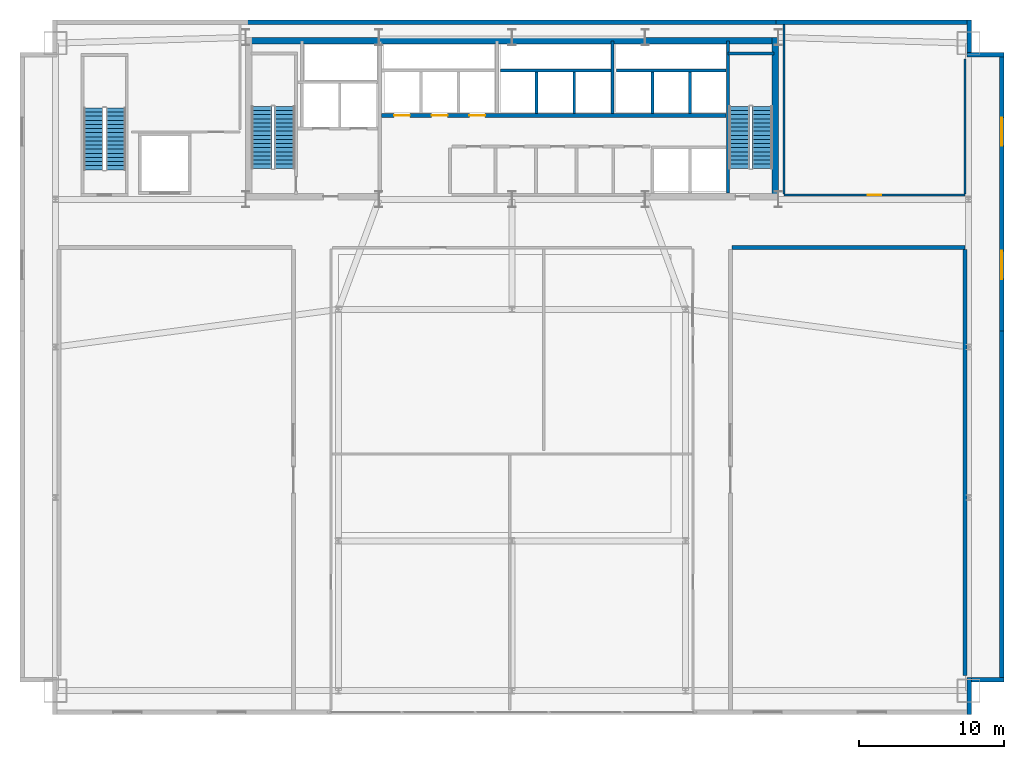
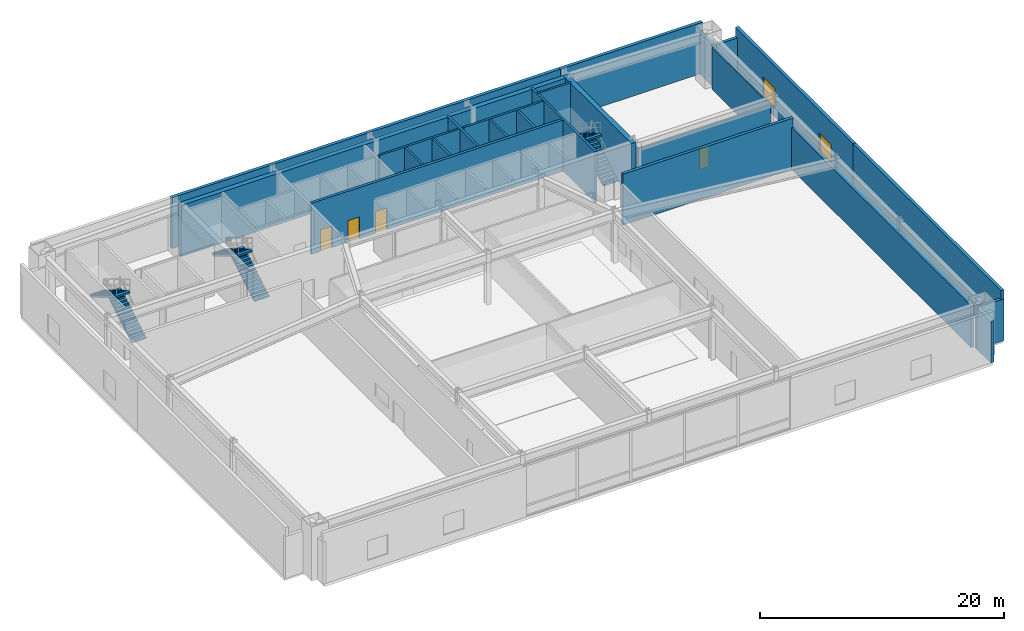
# One storey, part 10 of 12: 25 walls, 6 stair flights, 4 doors, 2 windows, 6 openings, 3 elements without a shape of their own.
"""IFC4 building model written with IfcOpenShell, lengths in metres."""

from ifc_helpers import new_model, si_unit, direction, frame, frame_2d, origin, place, context, subcontext, project, spatial, polyline, rectangle, outline, extrude, source, transform, mapped, material, layer, layer_set, type_object, type_shapes, element, fill, aggregate, save


model = new_model("IFC4")

# Units and contexts
model_context = context("Model", 3, precision=1e-05, world=origin(), true_north=direction((0.0, 1.0)))
body_context = subcontext(model_context, "Body", "Model", "MODEL_VIEW")
ifc_project = project(units=[si_unit("LENGTHUNIT", "METRE"), si_unit("AREAUNIT", "SQUARE_METRE"), si_unit("VOLUMEUNIT", "CUBIC_METRE"), si_unit("PLANEANGLEUNIT", "RADIAN"), si_unit("MASSUNIT", "GRAM", prefix="KILO")], contexts=[model_context])

# Site, building, storey
site_placement = place(None, origin())
site = spatial("IfcSite", under=ifc_project, at=site_placement, CompositionType="ELEMENT")
building_placement = place(site_placement, origin())
building = spatial("IfcBuilding", under=site, at=building_placement, Name="Varnel Quay Broadcast Tower", CompositionType="ELEMENT")
storey_placement = place(building_placement, frame((0.0, 0.0, 11.39990234375)))
storey = spatial("IfcBuildingStorey", under=building, at=storey_placement, Name="L02", CompositionType="ELEMENT", Elevation=11.39990234375)

# Walls
ifc_material_1 = material(Name="Concrete CSA A23.3 C50/60", Category="concrete")
ifc_layer_1 = layer(ifc_material_1, 0.199951171875, Name="Concrete CSA A23.3 C50/60")
ifc_layer_set_1 = layer_set([ifc_layer_1], Name="Concrete CSA A23.3 C50/60")
wall_type_1 = type_object("IfcWallType", Name="Wall_CoreShaftShear200", PredefinedType="SHEAR", material=ifc_layer_set_1)
wall_1_placement = place(storey_placement, frame((48.919921875, 36.050048828125, 0.0), z_axis=(0.0, 0.0, 1.0), x_axis=(0.0, 1.0, 0.0)))
element("IfcWall", 1, at=wall_1_placement, inside=storey, type_object=wall_type_1, Name="L02 Stair 2 West Structural Wall", PredefinedType="SHEAR", context=body_context, shape_type="SweptSolid", body=[
    extrude(rectangle(XDim=10.5, YDim=0.199951171875, at=frame_2d((5.25, 0.0))), origin(), (0.0, 0.0, 1.0), 5.1201171875),
])
wall_2_placement = place(storey_placement, frame((48.919921875, 45.679931640625, 0.0), z_axis=(0.0, 0.0, 1.0), x_axis=(1.0, 0.0, 0.0)))
element("IfcWall", 2, at=wall_2_placement, inside=storey, type_object=wall_type_1, Name="L02 Stair 2 North Structural Wall", PredefinedType="SHEAR", context=body_context, shape_type="SweptSolid", body=[
    extrude(rectangle(XDim=3.18017578125, YDim=0.199951171875, at=frame_2d((1.590087890625, 0.0))), origin(), (0.0, 0.0, 1.0), 5.1201171875),
])
wall_3_placement = place(storey_placement, frame((33.219970703125, 44.5, 0.0), z_axis=(0.0, 0.0, 1.0), x_axis=(1.0, 0.0, 0.0)))
element("IfcWall", 3, at=wall_3_placement, inside=storey, type_object=wall_type_1, Name="L02 Mid-Rise Lift Shaft Rear Wall", PredefinedType="SHEAR", context=body_context, shape_type="SweptSolid", body=[
    extrude(rectangle(XDim=7.630126953125, YDim=0.199951171875, at=frame_2d((3.81494140625, 0.0))), origin(), (0.0, 0.0, 1.0), 5.1201171875),
])
for number, where, z_axis, x_axis, name in (
    (4, (35.699951171875, 41.530029296875, 0.0), (0.0, 0.0, 1.0), (0.0, 1.0, 0.0), "L02 Mid-Rise Lift Shaft Divider 2"),
    (5, (38.300048828125, 41.530029296875, 0.0), (0.0, 0.0, 1.0), (0.0, 1.0, 0.0), "L02 Mid-Rise Lift Shaft Divider 3"),
):
    element("IfcWall", number, at=place(storey_placement, frame(where, z_axis=z_axis, x_axis=x_axis)), inside=storey, type_object=wall_type_1, Name=name, PredefinedType="SHEAR", context=body_context, shape_type="SweptSolid", body=[
        extrude(rectangle(XDim=2.869873046875, YDim=0.199951171875, at=frame_2d((1.43505859375, 0.0))), origin(), (0.0, 0.0, 1.0), 5.1201171875),
    ])
wall_4_placement = place(storey_placement, frame((40.949951171875, 41.530029296875, 0.0), z_axis=(0.0, 0.0, 1.0), x_axis=(0.0, 1.0, 0.0)))
element("IfcWall", 6, at=wall_4_placement, inside=storey, type_object=wall_type_1, Name="L02 Mid-Rise Lift Shaft Divider 4", PredefinedType="SHEAR", context=body_context, shape_type="SweptSolid", body=[
    extrude(rectangle(XDim=5.02001953125, YDim=0.199951171875, at=frame_2d((2.510009765625, 0.0))), origin(), (0.0, 0.0, 1.0), 5.1201171875),
])
wall_5_placement = place(storey_placement, frame((41.219970703125, 44.5, 0.0), z_axis=(0.0, 0.0, 1.0), x_axis=(1.0, 0.0, 0.0)))
element("IfcWall", 7, at=wall_5_placement, inside=storey, type_object=wall_type_1, Name="L02 High-Rise Lift Shaft Rear Wall", PredefinedType="SHEAR", context=body_context, shape_type="SweptSolid", body=[
    extrude(rectangle(XDim=7.580078125, YDim=0.199951171875, at=frame_2d((3.7900390625, 0.0))), origin(), (0.0, 0.0, 1.0), 5.1201171875),
])
for number, where, z_axis, x_axis, name in (
    (8, (43.699951171875, 41.530029296875, 0.0), (0.0, 0.0, 1.0), (0.0, 1.0, 0.0), "L02 High-Rise Lift Shaft Divider 2"),
    (9, (46.300048828125, 41.530029296875, 0.0), (0.0, 0.0, 1.0), (0.0, 1.0, 0.0), "L02 High-Rise Lift Shaft Divider 3"),
):
    element("IfcWall", number, at=place(storey_placement, frame(where, z_axis=z_axis, x_axis=x_axis)), inside=storey, type_object=wall_type_1, Name=name, PredefinedType="SHEAR", context=body_context, shape_type="SweptSolid", body=[
        extrude(rectangle(XDim=2.869873046875, YDim=0.199951171875, at=frame_2d((1.43505859375, 0.0))), origin(), (0.0, 0.0, 1.0), 5.1201171875),
    ])

# Wall, openings, doors
ifc_layer_2 = layer(ifc_material_1, 0.25, Name="Concrete CSA A23.3 C50/60")
ifc_layer_set_2 = layer_set([ifc_layer_2], Name="Concrete CSA A23.3 C50/60")
wall_type_2 = type_object("IfcWallType", Name="Wall_CoreShaftShear250", PredefinedType="SHEAR", material=ifc_layer_set_2)
wall_6_placement = place(storey_placement, frame((24.97998046875, 41.39990234375, 0.0), z_axis=(0.0, 0.0, 1.0), x_axis=(1.0, 0.0, 0.0)))
wall_6 = element("IfcWall", 10, at=wall_6_placement, inside=storey, type_object=wall_type_2, Name="L02 North Lift Bank & Reclaimed Suite Wall", PredefinedType="SHEAR", context=body_context, shape_type="SweptSolid", body=[
    extrude(rectangle(XDim=23.820068359375, YDim=0.25, at=frame_2d((11.91015625, 0.0))), origin(), (0.0, 0.0, 1.0), 5.1201171875),
])
opening_1_placement = place(wall_6_placement, frame((0.8701171875, 0.0, 0.0)))
opening_1 = element("IfcOpeningElement", 11, at=opening_1_placement, cuts=wall_6, Name="Opening LD-L02-PL-01", PredefinedType="OPENING", context=body_context, shape_type="SweptSolid", body=[
    extrude(rectangle(XDim=1.10009765625, YDim=2.179931640625, at=frame_2d((0.550048828125, 1.08984375))), frame((0.0, 0.135009765625, 0.0), z_axis=(0.0, -1.0, 0.0), x_axis=(1.0, 0.0, 0.0)), (0.0, 0.0, 1.0), 0.27001953125),
])
opening_2_placement = place(wall_6_placement, frame((3.469970703125, 0.0, 0.0)))
opening_2 = element("IfcOpeningElement", 12, at=opening_2_placement, cuts=wall_6, Name="Opening LD-L02-PL-02", PredefinedType="OPENING", context=body_context, shape_type="SweptSolid", body=[
    extrude(rectangle(XDim=1.10009765625, YDim=2.179931640625, at=frame_2d((0.550048828125, 1.08984375))), frame((0.0, 0.135009765625, 0.0), z_axis=(0.0, -1.0, 0.0), x_axis=(1.0, 0.0, 0.0)), (0.0, 0.0, 1.0), 0.27001953125),
])
opening_3_placement = place(wall_6_placement, frame((6.070068359375, 0.0, 0.0)))
opening_3 = element("IfcOpeningElement", 13, at=opening_3_placement, cuts=wall_6, Name="Opening LD-L02-PL-03", PredefinedType="OPENING", context=body_context, shape_type="SweptSolid", body=[
    extrude(rectangle(XDim=1.10009765625, YDim=2.179931640625, at=frame_2d((0.550048828125, 1.08984375))), frame((0.0, 0.135009765625, 0.0), z_axis=(0.0, -1.0, 0.0), x_axis=(1.0, 0.0, 0.0)), (0.0, 0.0, 1.0), 0.27001953125),
])
ifc_material_2 = material(Name="Brushed Bronze-Stainless Lift Car & Sliding Doors", Category="steel")
door_type_1 = type_object("IfcDoorType", Name="Door_LiftLanding1100", OperationType="SLIDING_TO_LEFT", PredefinedType="DOOR", material=ifc_material_2)
shared_shape_1 = source(origin(), body_context, "Body", "SweptSolid", [
    extrude(rectangle(XDim=1.10009765625, YDim=2.179931640625, at=frame_2d((0.550048828125, 1.08984375))), frame((0.0, 0.02490234375, 0.0), z_axis=(0.0, -1.0, 0.0), x_axis=(1.0, 0.0, 0.0)), (0.0, 0.0, 1.0), 0.050048828125),
])
type_shapes(door_type_1, [shared_shape_1])
door_1_placement = place(opening_1_placement, frame((1.10009765625, 0.0, 0.0), z_axis=(0.0, 0.0, 1.0), x_axis=(-1.0, 0.0, 0.0)))
door_1 = element("IfcDoor", 14, at=door_1_placement, inside=storey, type_object=door_type_1, Name="L02 Lift PL-01 Landing Door", OperationType="SLIDING_TO_LEFT", OverallHeight=2.179931640625, OverallWidth=1.10009765625, PredefinedType="DOOR", context=body_context, shape_type="MappedRepresentation", body=[
    mapped(shared_shape_1, transform((0.0, 0.0, 0.0), x_axis=(1.0, 0.0, 0.0), y_axis=(0.0, 1.0, 0.0), z_axis=(0.0, 0.0, 1.0), scale=1.0)),
])
fill(opening_1, door_1)
door_2_placement = place(opening_2_placement, frame((1.10009765625, 0.0, 0.0), z_axis=(0.0, 0.0, 1.0), x_axis=(-1.0, 0.0, 0.0)))
door_2 = element("IfcDoor", 15, at=door_2_placement, inside=storey, type_object=door_type_1, Name="L02 Lift PL-02 Landing Door", OperationType="SLIDING_TO_LEFT", OverallHeight=2.179931640625, OverallWidth=1.10009765625, PredefinedType="DOOR", context=body_context, shape_type="MappedRepresentation", body=[
    mapped(shared_shape_1, transform((0.0, 0.0, 0.0), x_axis=(1.0, 0.0, 0.0), y_axis=(0.0, 1.0, 0.0), z_axis=(0.0, 0.0, 1.0), scale=1.0)),
])
fill(opening_2, door_2)
door_3_placement = place(opening_3_placement, frame((1.10009765625, 0.0, 0.0), z_axis=(0.0, 0.0, 1.0), x_axis=(-1.0, 0.0, 0.0)))
door_3 = element("IfcDoor", 16, at=door_3_placement, inside=storey, type_object=door_type_1, Name="L02 Lift PL-03 Landing Door", OperationType="SLIDING_TO_LEFT", OverallHeight=2.179931640625, OverallWidth=1.10009765625, PredefinedType="DOOR", context=body_context, shape_type="MappedRepresentation", body=[
    mapped(shared_shape_1, transform((0.0, 0.0, 0.0), x_axis=(1.0, 0.0, 0.0), y_axis=(0.0, 1.0, 0.0), z_axis=(0.0, 0.0, 1.0), scale=1.0)),
])
fill(opening_3, door_3)

# Walls
ifc_material_3 = material(Name="Concrete CSA A23.3 C60/75", Category="concrete")
ifc_layer_3 = layer(ifc_material_3, 0.449951171875, Name="Concrete CSA A23.3 C60/75")
ifc_layer_set_3 = layer_set([ifc_layer_3], Name="Concrete CSA A23.3 C60/75")
wall_type_3 = type_object("IfcWallType", Name="Wall_CoreShearInt450", PredefinedType="SHEAR", material=ifc_layer_set_3)
wall_7_placement = place(storey_placement, frame((15.60009765625, 46.574951171875, 0.0), z_axis=(0.0, 0.0, 1.0), x_axis=(1.0, 0.0, 0.0)))
element("IfcWall", 17, at=wall_7_placement, inside=storey, type_object=wall_type_3, Name="L02 North Core Shear Wall", PredefinedType="SHEAR", context=body_context, shape_type="SweptSolid", body=[
    extrude(rectangle(XDim=36.7998046875, YDim=0.449951171875, at=frame_2d((18.39990234375, 0.0))), origin(), (0.0, 0.0, 1.0), 5.1201171875),
])
wall_8_placement = place(storey_placement, frame((52.205078125, 35.570068359375, 0.0), z_axis=(0.0, 0.0, 1.0), x_axis=(0.0, 1.0, 0.0)))
element("IfcWall", 18, at=wall_8_placement, inside=storey, type_object=wall_type_3, Name="L02 East Core Shear Wall", PredefinedType="SHEAR", context=body_context, shape_type="SweptSolid", body=[
    extrude(rectangle(XDim=11.22998046875, YDim=0.449951171875, at=frame_2d((5.614990234375, 0.0))), origin(), (0.0, 0.0, 1.0), 5.1201171875),
])
ifc_material_4 = material(Name="Precast Architectural Concrete C40/50", Category="concrete")
ifc_layer_4 = layer(ifc_material_4, 0.300048828125, Name="Precast Architectural Concrete C40/50")
ifc_layer_set_4 = layer_set([ifc_layer_4], Name="Precast Architectural Concrete C40/50")
wall_type_4 = type_object("IfcWallType", Name="Wall_ExtPodium300", PredefinedType="SOLIDWALL", material=ifc_layer_set_4)
wall_9_placement = place(storey_placement, frame((52.25, 47.85009765625, 0.0), z_axis=(0.0, 0.0, 1.0), x_axis=(1.0, 0.0, 0.0)))
element("IfcWall", 19, at=wall_9_placement, inside=storey, type_object=wall_type_4, Name="L02 North Podium Exterior Wall NE", PredefinedType="SOLIDWALL", context=body_context, shape_type="SweptSolid", body=[
    extrude(rectangle(XDim=13.5, YDim=0.300048828125, at=frame_2d((6.75, 0.0))), origin(), (0.0, 0.0, 1.0), 5.10009765625),
])
wall_10_placement = place(storey_placement, frame((15.5, 47.85009765625, 0.0), z_axis=(0.0, 0.0, 1.0), x_axis=(1.0, 0.0, 0.0)))
element("IfcWall", 20, at=wall_10_placement, inside=storey, type_object=wall_type_4, Name="L02 North Core Podium Cladding Wall", PredefinedType="SOLIDWALL", context=body_context, shape_type="SweptSolid", body=[
    extrude(rectangle(XDim=37.0, YDim=0.300048828125, at=frame_2d((18.5, 0.0))), origin(), (0.0, 0.0, 1.0), 5.10009765625),
])
wall_11_placement = place(storey_placement, frame((67.85009765625, 2.25, 0.0), z_axis=(0.0, 0.0, 1.0), x_axis=(0.0, 1.0, 0.0)))
element("IfcWall", 21, at=wall_11_placement, inside=storey, type_object=wall_type_4, Name="L02 Podium Acoustic Exterior Wall E1", PredefinedType="SOLIDWALL", context=body_context, shape_type="SweptSolid", body=[
    extrude(rectangle(XDim=24.35009765625, YDim=0.300048828125, at=frame_2d((12.175048828125, 0.0))), origin(), (0.0, 0.0, 1.0), 5.10009765625),
])

# Wall, openings, windows
wall_12_placement = place(storey_placement, frame((67.85009765625, 26.5, 0.0), z_axis=(0.0, 0.0, 1.0), x_axis=(0.0, 1.0, 0.0)))
wall_12 = element("IfcWall", 22, at=wall_12_placement, inside=storey, type_object=wall_type_4, Name="L02 Podium Acoustic Exterior Wall E2", PredefinedType="SOLIDWALL", context=body_context, shape_type="SweptSolid", body=[
    extrude(rectangle(XDim=19.25, YDim=0.300048828125, at=frame_2d((9.625, 0.0))), origin(), (0.0, 0.0, 1.0), 5.10009765625),
])
opening_4_placement = place(wall_12_placement, frame((3.60009765625, 0.0, 0.89990234375)))
opening_4 = element("IfcOpeningElement", 23, at=opening_4_placement, cuts=wall_12, Name="Opening W-04", PredefinedType="OPENING", context=body_context, shape_type="SweptSolid", body=[
    extrude(rectangle(XDim=1.949951171875, YDim=1.949951171875, at=frame_2d((0.97509765625, 0.97509765625))), frame((0.0, 0.16015625, 0.0), z_axis=(0.0, -1.0, 0.0), x_axis=(1.0, 0.0, 0.0)), (0.0, 0.0, 1.0), 0.320068359375),
])
opening_5_placement = place(wall_12_placement, frame((12.800048828125, 0.0, 0.89990234375)))
opening_5 = element("IfcOpeningElement", 24, at=opening_5_placement, cuts=wall_12, Name="Opening W-04", PredefinedType="OPENING", context=body_context, shape_type="SweptSolid", body=[
    extrude(rectangle(XDim=1.949951171875, YDim=1.949951171875, at=frame_2d((0.97509765625, 0.97509765625))), frame((0.0, 0.16015625, 0.0), z_axis=(0.0, -1.0, 0.0), x_axis=(1.0, 0.0, 0.0)), (0.0, 0.0, 1.0), 0.320068359375),
])
ifc_material_5 = material(Name="Triple-Glazed Bronze Low-E Architectural Glass", Category="glass")
window_type = type_object("IfcWindowType", Name="Win_PodiumControl1950", PartitioningType="SINGLE_PANEL", PredefinedType="WINDOW", material=ifc_material_5)
shared_shape_2 = source(origin(), body_context, "Body", "SweptSolid", [
    extrude(rectangle(XDim=1.949951171875, YDim=1.949951171875, at=frame_2d((0.97509765625, 0.97509765625))), frame((0.0, 0.030029296875, 0.0), z_axis=(0.0, -1.0, 0.0), x_axis=(1.0, 0.0, 0.0)), (0.0, 0.0, 1.0), 0.06005859375),
])
type_shapes(window_type, [shared_shape_2])
window_1_placement = place(opening_4_placement, origin())
window_1 = element("IfcWindow", 25, at=window_1_placement, inside=storey, type_object=window_type, Name="L02 Podium Window E2-1", OverallHeight=1.949951171875, OverallWidth=1.949951171875, PartitioningType="SINGLE_PANEL", PredefinedType="WINDOW", context=body_context, shape_type="MappedRepresentation", body=[
    mapped(shared_shape_2, transform((0.0, 0.0, 0.0), x_axis=(1.0, 0.0, 0.0), y_axis=(0.0, 1.0, 0.0), z_axis=(0.0, 0.0, 1.0), scale=1.0)),
])
fill(opening_4, window_1)
window_2_placement = place(opening_5_placement, origin())
window_2 = element("IfcWindow", 26, at=window_2_placement, inside=storey, type_object=window_type, Name="L02 Podium Window E2-2", OverallHeight=1.949951171875, OverallWidth=1.949951171875, PartitioningType="SINGLE_PANEL", PredefinedType="WINDOW", context=body_context, shape_type="MappedRepresentation", body=[
    mapped(shared_shape_2, transform((0.0, 0.0, 0.0), x_axis=(1.0, 0.0, 0.0), y_axis=(0.0, 1.0, 0.0), z_axis=(0.0, 0.0, 1.0), scale=1.0)),
])
fill(opening_5, window_2)

# Walls
for number, where, z_axis, x_axis, name in (
    (27, (65.60009765625, 0.0, 0.0), (0.0, 0.0, 1.0), (0.0, 1.0, 0.0), "L02 Podium Acoustic Exterior Wall NSE1"),
    (28, (65.449951171875, 2.39990234375, 0.0), (0.0, 0.0, 1.0), (1.0, 0.0, 0.0), "L02 Podium Acoustic Exterior Wall NSE2"),
    (29, (65.449951171875, 45.60009765625, 0.0), (0.0, 0.0, 1.0), (1.0, 0.0, 0.0), "L02 Podium Acoustic Exterior Wall NNE1"),
    (30, (65.60009765625, 45.449951171875, 0.0), (0.0, 0.0, 1.0), (0.0, 1.0, 0.0), "L02 Podium Acoustic Exterior Wall NNE2"),
):
    element("IfcWall", number, at=place(storey_placement, frame(where, z_axis=z_axis, x_axis=x_axis)), inside=storey, type_object=wall_type_4, Name=name, PredefinedType="SOLIDWALL", context=body_context, shape_type="SweptSolid", body=[
        extrude(rectangle(XDim=2.550048828125, YDim=0.300048828125, at=frame_2d((1.27490234375, 0.0))), origin(), (0.0, 0.0, 1.0), 4.18310546875),
    ])

# Wall, opening, door
ifc_material_6 = material(Name="Steel-Stud Fire-Rated Acoustic Gypsum Partition Assembly", Category="steel")
ifc_layer_5 = layer(ifc_material_6, 0.14990234375, Name="Steel-Stud Fire-Rated Acoustic Gypsum Partition Assembly")
ifc_layer_set_5 = layer_set([ifc_layer_5], Name="Steel-Stud Fire-Rated Acoustic Gypsum Partition Assembly")
wall_type_5 = type_object("IfcWallType", Name="Wall_Partition150", PredefinedType="PARTITIONING", material=ifc_layer_set_5)
wall_13_placement = place(storey_placement, frame((52.800048828125, 35.89990234375, 0.0), z_axis=(0.0, 0.0, 1.0), x_axis=(1.0, 0.0, 0.0)))
wall_13 = element("IfcWall", 31, at=wall_13_placement, inside=storey, type_object=wall_type_5, Name="L02 North-East Post-Production Office Partition 22", PredefinedType="PARTITIONING", context=body_context, shape_type="SweptSolid", body=[
    extrude(rectangle(XDim=12.5, YDim=0.14990234375, at=frame_2d((6.25, 0.0))), origin(), (0.0, 0.0, 1.0), 4.18310546875),
])
opening_6_placement = place(wall_13_placement, frame((5.7900390625, 0.0, 0.0)))
opening_6 = element("IfcOpeningElement", 32, at=opening_6_placement, cuts=wall_13, Name="Opening D-L02-13", PredefinedType="OPENING", context=body_context, shape_type="SweptSolid", body=[
    extrude(rectangle(XDim=0.919921875, YDim=2.080078125, at=frame_2d((0.4599609375, 1.0400390625))), frame((0.0, 0.0849609375, 0.0), z_axis=(0.0, -1.0, 0.0), x_axis=(1.0, 0.0, 0.0)), (0.0, 0.0, 1.0), 0.169921875),
])
ifc_material_7 = material(Name="Solid-Core Fire-Rated Acoustic Oak Veneer Door", Category="wood")
door_type_2 = type_object("IfcDoorType", Name="Door_Office920", OperationType="NOTDEFINED", PredefinedType="DOOR", material=ifc_material_7)
shared_shape_3 = source(origin(), body_context, "Body", "SweptSolid", [
    extrude(rectangle(XDim=0.919921875, YDim=2.080078125, at=frame_2d((0.4599609375, 1.0400390625))), frame((0.0, 0.02490234375, 0.0), z_axis=(0.0, -1.0, 0.0), x_axis=(1.0, 0.0, 0.0)), (0.0, 0.0, 1.0), 0.050048828125),
])
type_shapes(door_type_2, [shared_shape_3])
door_4_placement = place(opening_6_placement, origin())
door_4 = element("IfcDoor", 33, at=door_4_placement, inside=storey, type_object=door_type_2, Name="L02 North-East Post-Production Office Door D-L02-13", OperationType="SINGLE_SWING_LEFT", OverallHeight=2.080078125, OverallWidth=0.919921875, PredefinedType="DOOR", context=body_context, shape_type="MappedRepresentation", body=[
    mapped(shared_shape_3, transform((0.0, 0.0, 0.0), x_axis=(1.0, 0.0, 0.0), y_axis=(0.0, 1.0, 0.0), z_axis=(0.0, 0.0, 1.0), scale=1.0)),
])
fill(opening_6, door_4)

# Walls
wall_14_placement = place(storey_placement, frame((65.300048828125, 35.97509765625, 0.0), z_axis=(0.0, 0.0, 1.0), x_axis=(0.0, 1.0, 0.0)))
element("IfcWall", 34, at=wall_14_placement, inside=storey, type_object=wall_type_5, Name="L02 North-East Post-Production Office Partition 23", PredefinedType="PARTITIONING", context=body_context, shape_type="SweptSolid", body=[
    extrude(rectangle(XDim=9.324951171875, YDim=0.14990234375, at=frame_2d((4.66259765625, 0.0))), origin(), (0.0, 0.0, 1.0), 4.18310546875),
])
wall_15_placement = place(storey_placement, frame((52.800048828125, 35.97509765625, 0.0), z_axis=(0.0, 0.0, 1.0), x_axis=(0.0, 1.0, 0.0)))
element("IfcWall", 35, at=wall_15_placement, inside=storey, type_object=wall_type_5, Name="L02 North-East Post-Production Office Partition 24", PredefinedType="PARTITIONING", context=body_context, shape_type="SweptSolid", body=[
    extrude(rectangle(XDim=11.71484375, YDim=0.14990234375, at=frame_2d((5.857421875, 0.0))), origin(), (0.0, 0.0, 1.0), 4.18310546875),
])
ifc_material_8 = material(Name="Double-Leaf Isolated Acoustic Studio Wall Concrete C40/50", Category="concrete")
ifc_layer_6 = layer(ifc_material_8, 0.280029296875, Name="Double-Leaf Isolated Acoustic Studio Wall Concrete C40/50")
ifc_layer_set_6 = layer_set([ifc_layer_6], Name="Double-Leaf Isolated Acoustic Studio Wall Concrete C40/50")
wall_type_6 = type_object("IfcWallType", Name="Wall_StudioAcoustic280", PredefinedType="SOLIDWALL", material=ifc_layer_set_6)
wall_16_placement = place(storey_placement, frame((65.300048828125, 2.699951171875, 0.0), z_axis=(0.0, 0.0, 1.0), x_axis=(0.0, 1.0, 0.0)))
element("IfcWall", 36, at=wall_16_placement, inside=storey, type_object=wall_type_6, Name="L02 East Drama Production Studio Partition 11", PredefinedType="SOLIDWALL", context=body_context, shape_type="SweptSolid", body=[
    extrude(rectangle(XDim=29.43505859375, YDim=0.280029296875, at=frame_2d((14.717529296875, 0.0))), origin(), (0.0, 0.0, 1.0), 4.18310546875),
])
wall_17_placement = place(storey_placement, frame((49.199951171875, 32.27490234375, 0.0), z_axis=(0.0, 0.0, 1.0), x_axis=(1.0, 0.0, 0.0)))
element("IfcWall", 37, at=wall_17_placement, inside=storey, type_object=wall_type_6, Name="L02 East Drama Production Studio Partition 12", PredefinedType="SOLIDWALL", context=body_context, shape_type="SweptSolid", body=[
    extrude(rectangle(XDim=16.10009765625, YDim=0.280029296875, at=frame_2d((8.050048828125, 0.0))), origin(), (0.0, 0.0, 1.0), 5.10009765625),
])

# Stair, stair flights
ifc_material_9 = material(Name="Precast Structural Concrete C40/50", Category="concrete")
stair_type_1 = type_object("IfcStairType", Name="Stair_ST-01", PredefinedType="HALF_TURN_STAIR", material=ifc_material_9)
stair_1_placement = place(storey_placement, origin())
stair_1 = element("IfcStair", 38, at=stair_1_placement, inside=storey, type_object=stair_type_1, Name="L02 West Core Exit Stair 1", PredefinedType="HALF_TURN_STAIR")
stair_flight_type_1 = type_object("IfcStairFlightType", Name="Flight_ST-01", PredefinedType="STRAIGHT", material=ifc_material_9)
stair_flight_1_placement = place(storey_placement, frame((18.300048828125, 37.75, 0.0), z_axis=(0.0, 0.0, 1.0), x_axis=(0.0, 1.0, 0.0)))
stair_flight_1 = element("IfcStairFlight", 39, at=stair_flight_1_placement, type_object=stair_flight_type_1, Name="ST-01 flight 1", NumberOfRisers=16, NumberOfTreads=15, PredefinedType="STRAIGHT", RiserHeight=0.16875, TreadLength=0.285, context=body_context, shape_type="SweptSolid", body=[
    extrude(outline(polyline([(0.0, 0.0), (0.0, 0.168701171875), (0.284912109375, 0.168701171875), (0.284912109375, 0.33740234375), (0.570068359375, 0.33740234375), (0.570068359375, 0.50634765625), (0.85498046875, 0.50634765625), (0.85498046875, 0.675048828125), (1.139892578125, 0.675048828125), (1.139892578125, 0.84375), (1.425048828125, 0.84375), (1.425048828125, 1.012451171875), (1.7099609375, 1.012451171875), (1.7099609375, 1.18115234375), (1.9951171875, 1.18115234375), (1.9951171875, 1.35009765625), (2.280029296875, 1.35009765625), (2.280029296875, 1.518798828125), (2.56494140625, 1.518798828125), (2.56494140625, 1.6875), (2.85009765625, 1.6875), (2.85009765625, 1.856201171875), (3.135009765625, 1.856201171875), (3.135009765625, 2.02490234375), (3.419921875, 2.02490234375), (3.419921875, 2.19384765625), (3.705078125, 2.19384765625), (3.705078125, 2.362548828125), (3.989990234375, 2.362548828125), (3.989990234375, 2.53125), (4.27490234375, 2.53125), (4.27490234375, 2.699951171875), (4.27490234375, 2.35693359375), (0.294189453125, 0.0), (0.0, 0.0)])), frame((0.0, 0.699951171875, 0.0), z_axis=(0.0, -1.0, 0.0), x_axis=(1.0, 0.0, 0.0)), (0.0, 0.0, 1.0), 1.39990234375),
])
stair_flight_2_placement = place(storey_placement, frame((16.699951171875, 42.02490234375, 2.7001953125), z_axis=(0.0, 0.0, 1.0), x_axis=(0.0, -1.0, 0.0)))
stair_flight_2 = element("IfcStairFlight", 40, at=stair_flight_2_placement, type_object=stair_flight_type_1, Name="ST-01 flight 2", NumberOfRisers=16, NumberOfTreads=15, PredefinedType="STRAIGHT", RiserHeight=0.16875, TreadLength=0.285, context=body_context, shape_type="SweptSolid", body=[
    extrude(outline(polyline([(0.0, 0.0), (0.0, 0.168701171875), (0.284912109375, 0.168701171875), (0.284912109375, 0.33740234375), (0.570068359375, 0.33740234375), (0.570068359375, 0.50634765625), (0.85498046875, 0.50634765625), (0.85498046875, 0.675048828125), (1.139892578125, 0.675048828125), (1.139892578125, 0.84375), (1.425048828125, 0.84375), (1.425048828125, 1.012451171875), (1.7099609375, 1.012451171875), (1.7099609375, 1.18115234375), (1.9951171875, 1.18115234375), (1.9951171875, 1.35009765625), (2.280029296875, 1.35009765625), (2.280029296875, 1.518798828125), (2.56494140625, 1.518798828125), (2.56494140625, 1.6875), (2.85009765625, 1.6875), (2.85009765625, 1.856201171875), (3.135009765625, 1.856201171875), (3.135009765625, 2.02490234375), (3.419921875, 2.02490234375), (3.419921875, 2.19384765625), (3.705078125, 2.19384765625), (3.705078125, 2.362548828125), (3.989990234375, 2.362548828125), (3.989990234375, 2.53125), (4.27490234375, 2.53125), (4.27490234375, 2.699951171875), (4.27490234375, 2.35693359375), (0.294189453125, 0.0), (0.0, 0.0)])), frame((0.0, 0.699951171875, 0.0), z_axis=(0.0, -1.0, 0.0), x_axis=(1.0, 0.0, 0.0)), (0.0, 0.0, 1.0), 1.39990234375),
])
aggregate(stair_1, [stair_flight_1, stair_flight_2])

stair_type_2 = type_object("IfcStairType", Name="Stair_ST-02", PredefinedType="HALF_TURN_STAIR", material=ifc_material_9)
stair_2_placement = place(storey_placement, origin())
stair_2 = element("IfcStair", 41, at=stair_2_placement, inside=storey, type_object=stair_type_2, Name="L02 East Core Exit Stair 2", PredefinedType="HALF_TURN_STAIR")
stair_flight_type_2 = type_object("IfcStairFlightType", Name="Flight_ST-02", PredefinedType="STRAIGHT", material=ifc_material_9)
stair_flight_3_placement = place(storey_placement, frame((51.300048828125, 37.75, 0.0), z_axis=(0.0, 0.0, 1.0), x_axis=(0.0, 1.0, 0.0)))
stair_flight_3 = element("IfcStairFlight", 42, at=stair_flight_3_placement, type_object=stair_flight_type_2, Name="ST-02 flight 1", NumberOfRisers=16, NumberOfTreads=15, PredefinedType="STRAIGHT", RiserHeight=0.16875, TreadLength=0.285, context=body_context, shape_type="SweptSolid", body=[
    extrude(outline(polyline([(0.0, 0.0), (0.0, 0.168701171875), (0.284912109375, 0.168701171875), (0.284912109375, 0.33740234375), (0.570068359375, 0.33740234375), (0.570068359375, 0.50634765625), (0.85498046875, 0.50634765625), (0.85498046875, 0.675048828125), (1.139892578125, 0.675048828125), (1.139892578125, 0.84375), (1.425048828125, 0.84375), (1.425048828125, 1.012451171875), (1.7099609375, 1.012451171875), (1.7099609375, 1.18115234375), (1.9951171875, 1.18115234375), (1.9951171875, 1.35009765625), (2.280029296875, 1.35009765625), (2.280029296875, 1.518798828125), (2.56494140625, 1.518798828125), (2.56494140625, 1.6875), (2.85009765625, 1.6875), (2.85009765625, 1.856201171875), (3.135009765625, 1.856201171875), (3.135009765625, 2.02490234375), (3.419921875, 2.02490234375), (3.419921875, 2.19384765625), (3.705078125, 2.19384765625), (3.705078125, 2.362548828125), (3.989990234375, 2.362548828125), (3.989990234375, 2.53125), (4.27490234375, 2.53125), (4.27490234375, 2.699951171875), (4.27490234375, 2.35693359375), (0.294189453125, 0.0), (0.0, 0.0)])), frame((0.0, 0.699951171875, 0.0), z_axis=(0.0, -1.0, 0.0), x_axis=(1.0, 0.0, 0.0)), (0.0, 0.0, 1.0), 1.39990234375),
])
stair_flight_4_placement = place(storey_placement, frame((49.699951171875, 42.02490234375, 2.7001953125), z_axis=(0.0, 0.0, 1.0), x_axis=(0.0, -1.0, 0.0)))
stair_flight_4 = element("IfcStairFlight", 43, at=stair_flight_4_placement, type_object=stair_flight_type_2, Name="ST-02 flight 2", NumberOfRisers=16, NumberOfTreads=15, PredefinedType="STRAIGHT", RiserHeight=0.16875, TreadLength=0.285, context=body_context, shape_type="SweptSolid", body=[
    extrude(outline(polyline([(0.0, 0.0), (0.0, 0.168701171875), (0.284912109375, 0.168701171875), (0.284912109375, 0.33740234375), (0.570068359375, 0.33740234375), (0.570068359375, 0.50634765625), (0.85498046875, 0.50634765625), (0.85498046875, 0.675048828125), (1.139892578125, 0.675048828125), (1.139892578125, 0.84375), (1.425048828125, 0.84375), (1.425048828125, 1.012451171875), (1.7099609375, 1.012451171875), (1.7099609375, 1.18115234375), (1.9951171875, 1.18115234375), (1.9951171875, 1.35009765625), (2.280029296875, 1.35009765625), (2.280029296875, 1.518798828125), (2.56494140625, 1.518798828125), (2.56494140625, 1.6875), (2.85009765625, 1.6875), (2.85009765625, 1.856201171875), (3.135009765625, 1.856201171875), (3.135009765625, 2.02490234375), (3.419921875, 2.02490234375), (3.419921875, 2.19384765625), (3.705078125, 2.19384765625), (3.705078125, 2.362548828125), (3.989990234375, 2.362548828125), (3.989990234375, 2.53125), (4.27490234375, 2.53125), (4.27490234375, 2.699951171875), (4.27490234375, 2.35693359375), (0.294189453125, 0.0), (0.0, 0.0)])), frame((0.0, 0.699951171875, 0.0), z_axis=(0.0, -1.0, 0.0), x_axis=(1.0, 0.0, 0.0)), (0.0, 0.0, 1.0), 1.39990234375),
])
aggregate(stair_2, [stair_flight_3, stair_flight_4])

stair_type_3 = type_object("IfcStairType", Name="Stair_ST-03", PredefinedType="HALF_TURN_STAIR", material=ifc_material_9)
stair_3_placement = place(storey_placement, origin())
stair_3 = element("IfcStair", 44, at=stair_3_placement, inside=storey, type_object=stair_type_3, Name="L02 Podium Studio Exit Stair 3", PredefinedType="HALF_TURN_STAIR")
stair_flight_type_3 = type_object("IfcStairFlightType", Name="Flight_ST-03", PredefinedType="STRAIGHT", material=ifc_material_9)
stair_flight_5_placement = place(storey_placement, frame((6.625, 37.64990234375, 0.0), z_axis=(0.0, 0.0, 1.0), x_axis=(0.0, 1.0, 0.0)))
stair_flight_5 = element("IfcStairFlight", 45, at=stair_flight_5_placement, type_object=stair_flight_type_3, Name="ST-03 flight 1", NumberOfRisers=16, NumberOfTreads=15, PredefinedType="STRAIGHT", RiserHeight=0.16875, TreadLength=0.285, context=body_context, shape_type="SweptSolid", body=[
    extrude(outline(polyline([(0.0, 0.0), (0.0, 0.168701171875), (0.284912109375, 0.168701171875), (0.284912109375, 0.33740234375), (0.570068359375, 0.33740234375), (0.570068359375, 0.50634765625), (0.85498046875, 0.50634765625), (0.85498046875, 0.675048828125), (1.139892578125, 0.675048828125), (1.139892578125, 0.84375), (1.425048828125, 0.84375), (1.425048828125, 1.012451171875), (1.7099609375, 1.012451171875), (1.7099609375, 1.18115234375), (1.9951171875, 1.18115234375), (1.9951171875, 1.35009765625), (2.280029296875, 1.35009765625), (2.280029296875, 1.518798828125), (2.56494140625, 1.518798828125), (2.56494140625, 1.6875), (2.85009765625, 1.6875), (2.85009765625, 1.856201171875), (3.135009765625, 1.856201171875), (3.135009765625, 2.02490234375), (3.419921875, 2.02490234375), (3.419921875, 2.19384765625), (3.705078125, 2.19384765625), (3.705078125, 2.362548828125), (3.989990234375, 2.362548828125), (3.989990234375, 2.53125), (4.27490234375, 2.53125), (4.27490234375, 2.699951171875), (4.27490234375, 2.35693359375), (0.294189453125, 0.0), (0.0, 0.0)])), frame((0.0, 0.675048828125, 0.0), z_axis=(0.0, -1.0, 0.0), x_axis=(1.0, 0.0, 0.0)), (0.0, 0.0, 1.0), 1.35009765625),
])
stair_flight_6_placement = place(storey_placement, frame((5.074951171875, 41.925048828125, 2.7001953125), z_axis=(0.0, 0.0, 1.0), x_axis=(0.0, -1.0, 0.0)))
stair_flight_6 = element("IfcStairFlight", 46, at=stair_flight_6_placement, type_object=stair_flight_type_3, Name="ST-03 flight 2", NumberOfRisers=16, NumberOfTreads=15, PredefinedType="STRAIGHT", RiserHeight=0.16875, TreadLength=0.285, context=body_context, shape_type="SweptSolid", body=[
    extrude(outline(polyline([(0.0, 0.0), (0.0, 0.168701171875), (0.284912109375, 0.168701171875), (0.284912109375, 0.33740234375), (0.570068359375, 0.33740234375), (0.570068359375, 0.50634765625), (0.85498046875, 0.50634765625), (0.85498046875, 0.675048828125), (1.139892578125, 0.675048828125), (1.139892578125, 0.84375), (1.425048828125, 0.84375), (1.425048828125, 1.012451171875), (1.7099609375, 1.012451171875), (1.7099609375, 1.18115234375), (1.9951171875, 1.18115234375), (1.9951171875, 1.35009765625), (2.280029296875, 1.35009765625), (2.280029296875, 1.518798828125), (2.56494140625, 1.518798828125), (2.56494140625, 1.6875), (2.85009765625, 1.6875), (2.85009765625, 1.856201171875), (3.135009765625, 1.856201171875), (3.135009765625, 2.02490234375), (3.419921875, 2.02490234375), (3.419921875, 2.19384765625), (3.705078125, 2.19384765625), (3.705078125, 2.362548828125), (3.989990234375, 2.362548828125), (3.989990234375, 2.53125), (4.27490234375, 2.53125), (4.27490234375, 2.699951171875), (4.27490234375, 2.35693359375), (0.294189453125, 0.0), (0.0, 0.0)])), frame((0.0, 0.675048828125, 0.0), z_axis=(0.0, -1.0, 0.0), x_axis=(1.0, 0.0, 0.0)), (0.0, 0.0, 1.0), 1.35009765625),
])
aggregate(stair_3, [stair_flight_5, stair_flight_6])

save(model, "model.ifc")
